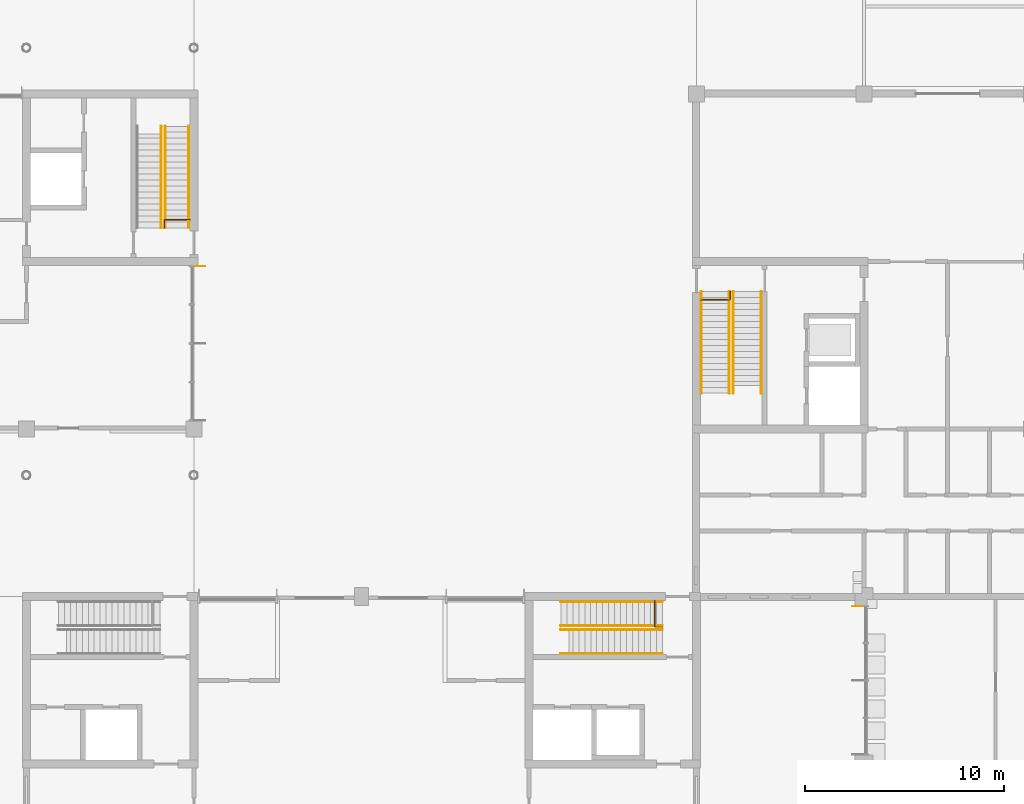
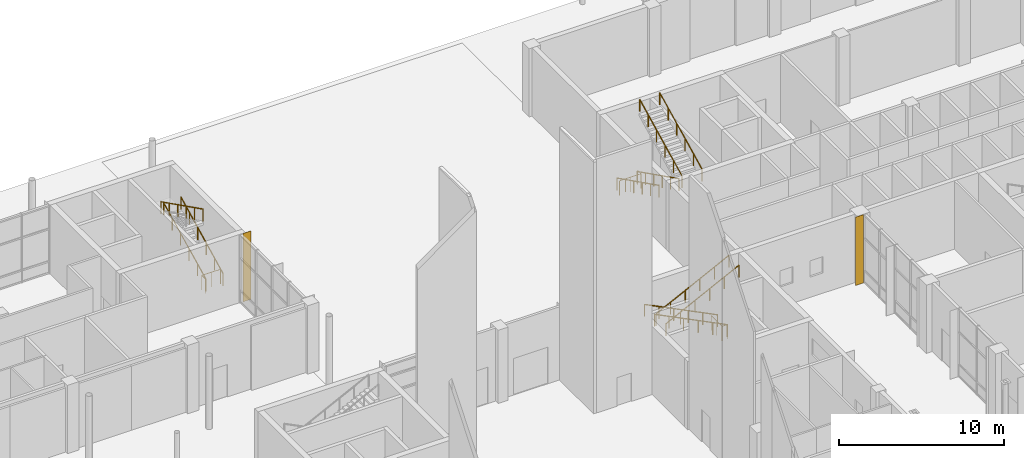
# One storey, part 69 of 76: 14 railings, 2 shading devices.
"""IFC4 building model written with IfcOpenShell, lengths in metres."""

from ifc_helpers import new_model, si_unit, direction, frame, origin, origin_2d, place, context, subcontext, project, spatial, rectangle, circle, extrude, material, layer, layer_set, type_object, element, save


model = new_model("IFC4")

# Units and contexts
model_context = context("Model", 3, precision=1e-05, world=origin(), true_north=direction((0.0, 1.0)))
body_context = subcontext(model_context, "Body", "Model", "MODEL_VIEW")
ifc_project = project(units=[si_unit("LENGTHUNIT", "METRE"), si_unit("AREAUNIT", "SQUARE_METRE"), si_unit("VOLUMEUNIT", "CUBIC_METRE"), si_unit("PLANEANGLEUNIT", "RADIAN"), si_unit("MASSUNIT", "GRAM", prefix="KILO")], contexts=[model_context])

# Site, building, storey
site_placement = place(None, origin())
site = spatial("IfcSite", under=ifc_project, at=site_placement, CompositionType="ELEMENT")
building_placement = place(site_placement, origin())
building = spatial("IfcBuilding", under=site, at=building_placement, Name="Hlaing Beacon Police Headquarters", CompositionType="ELEMENT")
storey_placement = place(building_placement, origin())
storey = spatial("IfcBuildingStorey", under=building, at=storey_placement, Name="L00", CompositionType="ELEMENT", Elevation=0.0)

# Shading devices
ifc_material_1 = material(Name="Aluminium 6063-T5 anodised", Category="aluminium")
ifc_layer = layer(ifc_material_1, 0.011962890625)
ifc_layer_set = layer_set([ifc_layer], Name="Aluminium 6063-T5 anodised")
shading_device_type = type_object("IfcShadingDeviceType", Name="Aluminium fin 12x550", PredefinedType="JALOUSIE", material=ifc_layer_set)
for number, where, z_axis, x_axis, name in (
    (1, (100.5, 66.719970703125, 0.0), (0.0, 0.0, 1.0), (0.0, -1.0, 0.0), "Fin L00 W016.0"),
    (2, (67.5, 83.77001953125, 0.0), (0.0, 0.0, 1.0), (0.0, 1.0, 0.0), "Fin L00 E026.4"),
):
    element("IfcShadingDevice", number, at=place(storey_placement, frame(where, z_axis=z_axis, x_axis=x_axis)), inside=storey, type_object=shading_device_type, Name=name, PredefinedType="JALOUSIE", context=body_context, shape_type="SweptSolid", body=[
        extrude(rectangle(XDim=0.011962890625, YDim=0.550048828125, at=origin_2d()), origin(), (0.0, 0.0, 1.0), 5.050048828125),
    ])

# Railings
ifc_material_2 = material(Name="Stainless steel", Category="steel")
railing_type_1 = type_object("IfcRailingType", Name="Stair guard 1100", PredefinedType="GUARDRAIL", material=ifc_material_2)
railing_1_placement = place(storey_placement, frame((90.300048828125, 67.0, 0.0)))
element("IfcRailing", 3, at=railing_1_placement, inside=storey, type_object=railing_type_1, Name="Guard ST-D", PredefinedType="GUARDRAIL", context=body_context, shape_type="SweptSolid", body=[
    extrude(circle(Radius=0.02392578125, at=origin_2d()), frame((0.0, 0.0, 1.076171875), z_axis=(0.0, -1.0, 0.0), x_axis=(1.0, 0.0, 0.0)), (0.0, 0.0, 1.0), 1.300048828125),
    extrude(circle(Radius=0.02392578125, at=origin_2d()), frame((0.0, -1.300048828125, 1.076171875), z_axis=(1.0, 0.0, 0.0), x_axis=(0.0, 1.0, 0.0)), (0.0, 0.0, 1.0), 0.39990234375),
    extrude(circle(Radius=0.02099609375, at=origin_2d()), origin(), (0.0, 0.0, 1.0), 1.052001953125),
    extrude(circle(Radius=0.02099609375, at=origin_2d()), frame((0.0, -0.64990234375, 0.0)), (0.0, 0.0, 1.0), 1.052001953125),
    extrude(circle(Radius=0.02099609375, at=origin_2d()), frame((0.0, -1.300048828125, 0.0)), (0.0, 0.0, 1.0), 1.052001953125),
    extrude(circle(Radius=0.02099609375, at=origin_2d()), frame((0.39990234375, -1.300048828125, 0.0)), (0.0, 0.0, 1.0), 1.052001953125),
])
railing_2_placement = place(storey_placement, frame((67.0, 86.10009765625, 0.0)))
element("IfcRailing", 4, at=railing_2_placement, inside=storey, type_object=railing_type_1, Name="Guard ST-F", PredefinedType="GUARDRAIL", context=body_context, shape_type="SweptSolid", body=[
    extrude(circle(Radius=0.02392578125, at=origin_2d()), frame((0.0, 0.0, 1.076171875), z_axis=(-1.0, 0.0, 0.0), x_axis=(0.0, -1.0, 0.0)), (0.0, 0.0, 1.0), 1.300048828125),
    extrude(circle(Radius=0.02392578125, at=origin_2d()), frame((-1.300048828125, 0.0, 1.076171875), z_axis=(0.0, -1.0, 0.0), x_axis=(1.0, 0.0, 0.0)), (0.0, 0.0, 1.0), 0.400146484375),
    extrude(circle(Radius=0.02099609375, at=origin_2d()), origin(), (0.0, 0.0, 1.0), 1.052001953125),
    extrude(circle(Radius=0.02099609375, at=origin_2d()), frame((-0.64990234375, 0.0, 0.0)), (0.0, 0.0, 1.0), 1.052001953125),
    extrude(circle(Radius=0.02099609375, at=origin_2d()), frame((-1.300048828125, 0.0, 0.0)), (0.0, 0.0, 1.0), 1.052001953125),
    extrude(circle(Radius=0.02099609375, at=origin_2d()), frame((-1.300048828125, -0.400146484375, 0.0)), (0.0, 0.0, 1.0), 1.052001953125),
])
railing_3_placement = place(storey_placement, frame((92.60009765625, 82.10009765625, 0.0)))
element("IfcRailing", 5, at=railing_3_placement, inside=storey, type_object=railing_type_1, Name="Guard ST-Q", PredefinedType="GUARDRAIL", context=body_context, shape_type="SweptSolid", body=[
    extrude(circle(Radius=0.02392578125, at=origin_2d()), frame((0.0, 0.0, 1.076171875), z_axis=(1.0, 0.0, 0.0), x_axis=(0.0, 1.0, 0.0)), (0.0, 0.0, 1.0), 1.5),
    extrude(circle(Radius=0.02392578125, at=origin_2d()), frame((1.5, 0.0, 1.076171875), z_axis=(0.0, 1.0, 0.0), x_axis=(-1.0, 0.0, 0.0)), (0.0, 0.0, 1.0), 0.39990234375),
    extrude(circle(Radius=0.02099609375, at=origin_2d()), origin(), (0.0, 0.0, 1.0), 1.052001953125),
    extrude(circle(Radius=0.02099609375, at=origin_2d()), frame((0.75, 0.0, 0.0)), (0.0, 0.0, 1.0), 1.052001953125),
    extrude(circle(Radius=0.02099609375, at=origin_2d()), frame((1.5, 0.0, 0.0)), (0.0, 0.0, 1.0), 1.052001953125),
    extrude(circle(Radius=0.02099609375, at=origin_2d()), frame((1.5, 0.39990234375, 0.0)), (0.0, 0.0, 1.0), 1.052001953125),
])
ifc_material_3 = material(Name="Stainless steel", Category="steel")
railing_type_2 = type_object("IfcRailingType", Name="Stair handrail 900", PredefinedType="HANDRAIL", material=ifc_material_3)
for number, where, name in (
    (6, (90.699951171875, 66.949951171875, 0.14990234375), "Handrail ST-D"),
    (7, (90.699951171875, 65.75, 0.14990234375), "Handrail ST-D"),
):
    element("IfcRailing", number, at=place(storey_placement, frame(where)), inside=storey, type_object=railing_type_2, Name=name, PredefinedType="HANDRAIL", context=body_context, shape_type="SweptSolid", body=[
        extrude(circle(Radius=0.02392578125, at=origin_2d()), frame((0.0, 0.0, 0.8759765625), z_axis=(-0.894418627299, 0.0, 0.447230722492), x_axis=(0.0, -1.0, 0.0)), (0.0, 0.0, 1.0), 5.701904296875),
        extrude(circle(Radius=0.02099609375, at=origin_2d()), origin(), (0.0, 0.0, 1.0), 0.851806640625),
        extrude(circle(Radius=0.02099609375, at=origin_2d()), frame((-1.02001953125, 0.0, 0.510009765625)), (0.0, 0.0, 1.0), 0.851806640625),
        extrude(circle(Radius=0.02099609375, at=origin_2d()), frame((-2.0400390625, 0.0, 1.02001953125)), (0.0, 0.0, 1.0), 0.851806640625),
        extrude(circle(Radius=0.02099609375, at=origin_2d()), frame((-3.059814453125, 0.0, 1.530029296875)), (0.0, 0.0, 1.0), 0.851806640625),
        extrude(circle(Radius=0.02099609375, at=origin_2d()), frame((-4.079833984375, 0.0, 2.0400390625)), (0.0, 0.0, 1.0), 0.851806640625),
        extrude(circle(Radius=0.02099609375, at=origin_2d()), frame((-5.099853515625, 0.0, 2.550048828125)), (0.0, 0.0, 1.0), 0.851806640625),
    ])
for number, where, name in (
    (8, (85.60009765625, 65.550048828125, 2.85009765625), "Handrail ST-D"),
    (9, (85.60009765625, 64.35009765625, 2.85009765625), "Handrail ST-D"),
):
    element("IfcRailing", number, at=place(storey_placement, frame(where)), inside=storey, type_object=railing_type_2, Name=name, PredefinedType="HANDRAIL", context=body_context, shape_type="SweptSolid", body=[
        extrude(circle(Radius=0.02392578125, at=origin_2d()), frame((0.0, 0.0, 0.8759765625), z_axis=(0.894435754537, 0.0, 0.447196468016), x_axis=(0.0, 1.0, 0.0)), (0.0, 0.0, 1.0), 5.70166015625),
        extrude(circle(Radius=0.02099609375, at=origin_2d()), origin(), (0.0, 0.0, 1.0), 0.851806640625),
        extrude(circle(Radius=0.02099609375, at=origin_2d()), frame((1.02001953125, 0.0, 0.510009765625)), (0.0, 0.0, 1.0), 0.851806640625),
        extrude(circle(Radius=0.02099609375, at=origin_2d()), frame((2.0400390625, 0.0, 1.02001953125)), (0.0, 0.0, 1.0), 0.851806640625),
        extrude(circle(Radius=0.02099609375, at=origin_2d()), frame((3.059814453125, 0.0, 1.52978515625)), (0.0, 0.0, 1.0), 0.851806640625),
        extrude(circle(Radius=0.02099609375, at=origin_2d()), frame((4.079833984375, 0.0, 2.039794921875)), (0.0, 0.0, 1.0), 0.851806640625),
        extrude(circle(Radius=0.02099609375, at=origin_2d()), frame((5.099853515625, 0.0, 2.5498046875)), (0.0, 0.0, 1.0), 0.851806640625),
    ])
for number, where, name in (
    (10, (66.949951171875, 85.699951171875, 0.14990234375), "Handrail ST-F"),
    (11, (65.75, 85.699951171875, 0.14990234375), "Handrail ST-F"),
):
    element("IfcRailing", number, at=place(storey_placement, frame(where)), inside=storey, type_object=railing_type_2, Name=name, PredefinedType="HANDRAIL", context=body_context, shape_type="SweptSolid", body=[
        extrude(circle(Radius=0.02392578125, at=origin_2d()), frame((0.0, 0.0, 0.8759765625), z_axis=(0.0, 0.894427191, 0.4472135955), x_axis=(-1.0, 0.0, 0.0)), (0.0, 0.0, 1.0), 5.7021484375),
        extrude(circle(Radius=0.02099609375, at=origin_2d()), origin(), (0.0, 0.0, 1.0), 0.851806640625),
        extrude(circle(Radius=0.02099609375, at=origin_2d()), frame((0.0, 1.02001953125, 0.510009765625)), (0.0, 0.0, 1.0), 0.851806640625),
        extrude(circle(Radius=0.02099609375, at=origin_2d()), frame((0.0, 2.0400390625, 1.02001953125)), (0.0, 0.0, 1.0), 0.851806640625),
        extrude(circle(Radius=0.02099609375, at=origin_2d()), frame((0.0, 3.06005859375, 1.530029296875)), (0.0, 0.0, 1.0), 0.851806640625),
        extrude(circle(Radius=0.02099609375, at=origin_2d()), frame((0.0, 4.080078125, 2.0400390625)), (0.0, 0.0, 1.0), 0.851806640625),
        extrude(circle(Radius=0.02099609375, at=origin_2d()), frame((0.0, 5.10009765625, 2.550048828125)), (0.0, 0.0, 1.0), 0.851806640625),
    ])
railing_4_placement = place(storey_placement, frame((65.550048828125, 90.800048828125, 2.85009765625)))
element("IfcRailing", 12, at=railing_4_placement, inside=storey, type_object=railing_type_2, Name="Handrail ST-F", PredefinedType="HANDRAIL", context=body_context, shape_type="SweptSolid", body=[
    extrude(circle(Radius=0.02392578125, at=origin_2d()), frame((0.0, 0.0, 0.8759765625), z_axis=(0.0, -0.89444431709, 0.44717934168), x_axis=(1.0, 0.0, 0.0)), (0.0, 0.0, 1.0), 5.701904296875),
    extrude(circle(Radius=0.02099609375, at=origin_2d()), origin(), (0.0, 0.0, 1.0), 0.851806640625),
    extrude(circle(Radius=0.02099609375, at=origin_2d()), frame((0.0, -1.02001953125, 0.510009765625)), (0.0, 0.0, 1.0), 0.851806640625),
    extrude(circle(Radius=0.02099609375, at=origin_2d()), frame((0.0, -2.0400390625, 1.02001953125)), (0.0, 0.0, 1.0), 0.851806640625),
    extrude(circle(Radius=0.02099609375, at=origin_2d()), frame((0.0, -3.06005859375, 1.52978515625)), (0.0, 0.0, 1.0), 0.851806640625),
    extrude(circle(Radius=0.02099609375, at=origin_2d()), frame((0.0, -4.080078125, 2.039794921875)), (0.0, 0.0, 1.0), 0.851806640625),
    extrude(circle(Radius=0.02099609375, at=origin_2d()), frame((0.0, -5.10009765625, 2.5498046875)), (0.0, 0.0, 1.0), 0.851806640625),
])
for number, where, name in (
    (13, (92.64990234375, 82.5, 0.14990234375), "Handrail ST-Q"),
    (14, (94.050048828125, 82.5, 0.14990234375), "Handrail ST-Q"),
):
    element("IfcRailing", number, at=place(storey_placement, frame(where)), inside=storey, type_object=railing_type_2, Name=name, PredefinedType="HANDRAIL", context=body_context, shape_type="SweptSolid", body=[
        extrude(circle(Radius=0.02392578125, at=origin_2d()), frame((0.0, 0.0, 0.8759765625), z_axis=(0.0, -0.894427191, 0.4472135955), x_axis=(1.0, 0.0, 0.0)), (0.0, 0.0, 1.0), 5.7021484375),
        extrude(circle(Radius=0.02099609375, at=origin_2d()), origin(), (0.0, 0.0, 1.0), 0.851806640625),
        extrude(circle(Radius=0.02099609375, at=origin_2d()), frame((0.0, -1.02001953125, 0.510009765625)), (0.0, 0.0, 1.0), 0.851806640625),
        extrude(circle(Radius=0.02099609375, at=origin_2d()), frame((0.0, -2.0400390625, 1.02001953125)), (0.0, 0.0, 1.0), 0.851806640625),
        extrude(circle(Radius=0.02099609375, at=origin_2d()), frame((0.0, -3.06005859375, 1.530029296875)), (0.0, 0.0, 1.0), 0.851806640625),
        extrude(circle(Radius=0.02099609375, at=origin_2d()), frame((0.0, -4.080078125, 2.0400390625)), (0.0, 0.0, 1.0), 0.851806640625),
        extrude(circle(Radius=0.02099609375, at=origin_2d()), frame((0.0, -5.10009765625, 2.550048828125)), (0.0, 0.0, 1.0), 0.851806640625),
    ])
for number, where, name in (
    (15, (94.25, 77.39990234375, 2.85009765625), "Handrail ST-Q"),
    (16, (95.64990234375, 77.39990234375, 2.85009765625), "Handrail ST-Q"),
):
    element("IfcRailing", number, at=place(storey_placement, frame(where)), inside=storey, type_object=railing_type_2, Name=name, PredefinedType="HANDRAIL", context=body_context, shape_type="SweptSolid", body=[
        extrude(circle(Radius=0.02392578125, at=origin_2d()), frame((0.0, 0.0, 0.8759765625), z_axis=(0.0, 0.89444431709, 0.44717934168), x_axis=(-1.0, 0.0, 0.0)), (0.0, 0.0, 1.0), 5.701904296875),
        extrude(circle(Radius=0.02099609375, at=origin_2d()), origin(), (0.0, 0.0, 1.0), 0.851806640625),
        extrude(circle(Radius=0.02099609375, at=origin_2d()), frame((0.0, 1.02001953125, 0.510009765625)), (0.0, 0.0, 1.0), 0.851806640625),
        extrude(circle(Radius=0.02099609375, at=origin_2d()), frame((0.0, 2.0400390625, 1.02001953125)), (0.0, 0.0, 1.0), 0.851806640625),
        extrude(circle(Radius=0.02099609375, at=origin_2d()), frame((0.0, 3.06005859375, 1.52978515625)), (0.0, 0.0, 1.0), 0.851806640625),
        extrude(circle(Radius=0.02099609375, at=origin_2d()), frame((0.0, 4.080078125, 2.039794921875)), (0.0, 0.0, 1.0), 0.851806640625),
        extrude(circle(Radius=0.02099609375, at=origin_2d()), frame((0.0, 5.10009765625, 2.5498046875)), (0.0, 0.0, 1.0), 0.851806640625),
    ])

save(model, "model.ifc")
